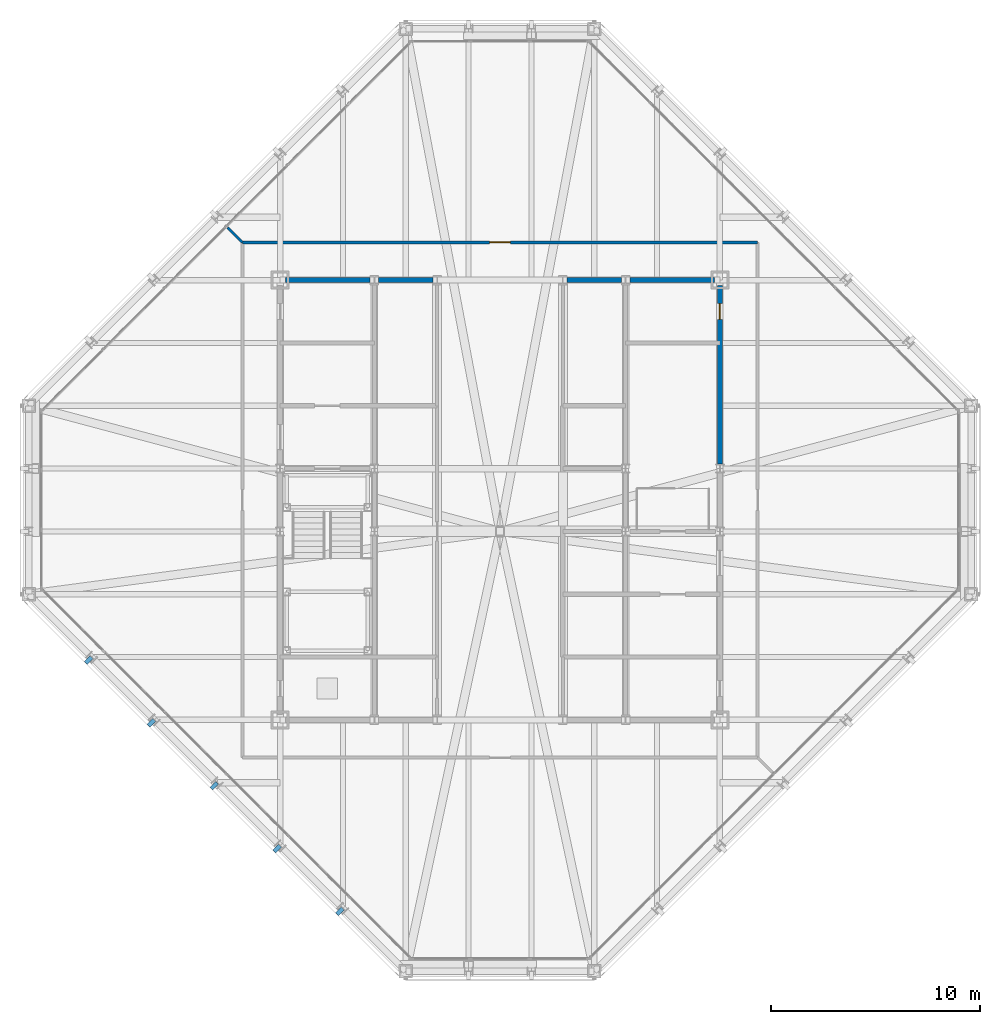
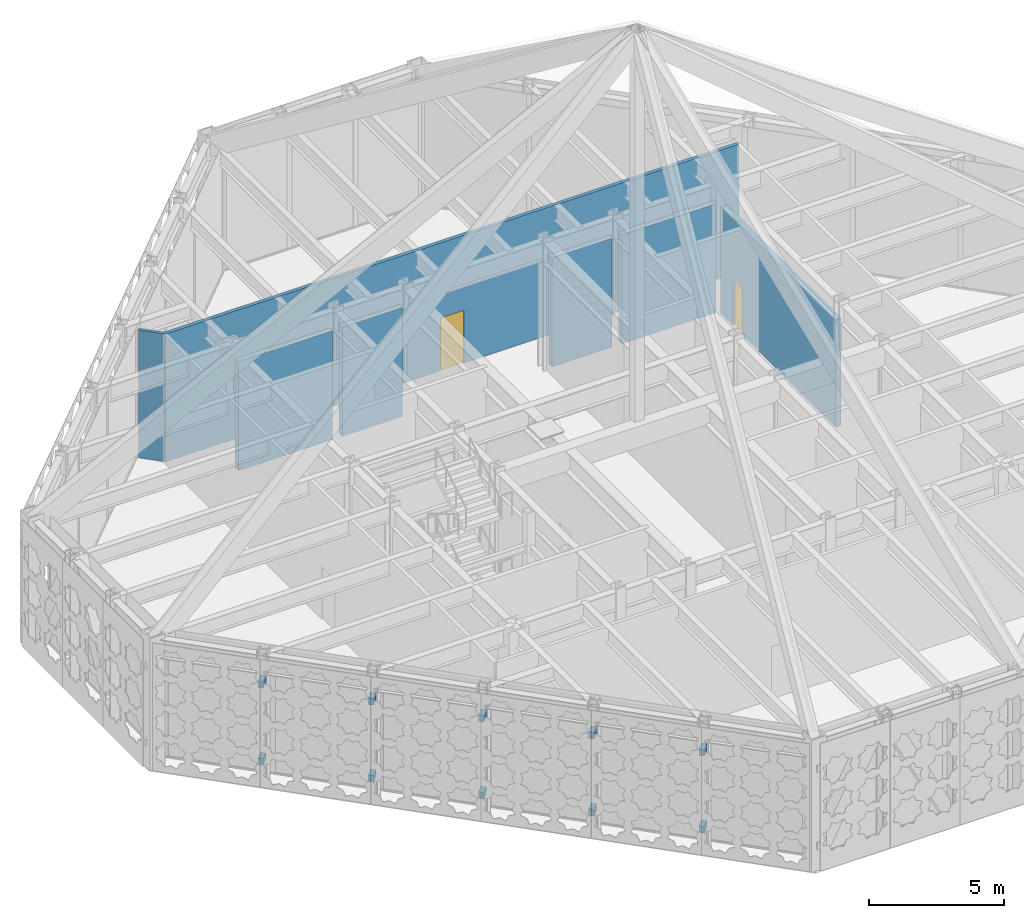
# One storey, part 15 of 30: 10 discrete accessories, 7 walls, 2 doors, 2 openings.
"""IFC4 building model written with IfcOpenShell, lengths in metres."""

import ifcopenshell
import ifcopenshell.guid

model = None  # the IFC model being written
_history = None  # IfcOwnerHistory: only IFC2X3 demands one
_inside = {}  # id of a spatial element -> (the spatial element, [elements in it])
_under = {}  # id of a project, library or spatial element -> (it, [spatial elements below it])
_declared = {}  # id of a project -> (the project, [libraries it declares])
_typed = {}  # id of a type object -> (the type object, [elements of that type])
_made_of = {}  # id of a material, layer set ... -> (it, [elements and type objects made of it])


def new_model(schema):
    """Start an empty IFC model of exactly this schema.

    Asked for "IFC4X3", IfcOpenShell would pick the latest addendum, in which some entities
    have other attributes; the version numbers below select the first issue.
    IFC2X3 requires an IfcOwnerHistory on every rooted entity: one is made here for all.
    """
    global model, _history
    if schema == "IFC4X3":
        model = ifcopenshell.file(schema_version=(4, 3, 0, 0))
    else:
        model = ifcopenshell.file(schema=schema)
    _inside.clear()
    _under.clear()
    _declared.clear()
    _typed.clear()
    _made_of.clear()
    _history = None
    if model.schema == "IFC2X3":
        org = make("IfcOrganization", Name="unknown")
        user = make(
            "IfcPersonAndOrganization",
            ThePerson=make("IfcPerson", FamilyName="unknown"),
            TheOrganization=org,
        )
        app = make(
            "IfcApplication",
            ApplicationDeveloper=org,
            Version="unknown",
            ApplicationFullName="unknown",
            ApplicationIdentifier="unknown",
        )
        _history = make(
            "IfcOwnerHistory",
            OwningUser=user,
            OwningApplication=app,
            ChangeAction="ADDED",
            CreationDate=0,
        )
    return model


def make(cls, **values):
    """One entity of the class cls with the attributes given. An attribute that is None is left unset."""
    return model.create_entity(
        cls, **{name: value for name, value in values.items() if value is not None}
    )


def rooted(cls, **values):
    """An entity with a GlobalId (a new one), such as an element, a storey or a relation."""
    return make(cls, GlobalId=ifcopenshell.guid.new(), OwnerHistory=_history, **values)


def si_unit(unit_type, name, prefix=None):
    """IfcSIUnit, for example si_unit("LENGTHUNIT", "METRE", prefix="MILLI")."""
    return make("IfcSIUnit", UnitType=unit_type, Prefix=prefix, Name=name)


def assignment(units):
    """IfcUnitAssignment: the units of a project."""
    return None if units is None else make("IfcUnitAssignment", Units=units)


def point(xyz):
    """IfcCartesianPoint."""
    return None if xyz is None else make("IfcCartesianPoint", Coordinates=xyz)


def direction(xyz):
    """IfcDirection."""
    return None if xyz is None else make("IfcDirection", DirectionRatios=xyz)


def frame(location, z_axis=None, x_axis=None):
    """IfcAxis2Placement3D, a coordinate frame: its origin and axes. An axis left out is left unset."""
    return make(
        "IfcAxis2Placement3D",
        Location=point(location),
        Axis=direction(z_axis),
        RefDirection=direction(x_axis),
    )


def frame_2d(location, x_axis=None):
    """IfcAxis2Placement2D, a coordinate frame in the plane: its origin and x axis."""
    return make(
        "IfcAxis2Placement2D", Location=point(location), RefDirection=direction(x_axis)
    )


def origin():
    """The frame at (0, 0, 0) with its axes left unset."""
    return frame((0.0, 0.0, 0.0))


def origin_2d():
    """The frame at (0, 0) in the plane with its x axis left unset."""
    return frame_2d((0.0, 0.0))


def place(relative_to, where):
    """IfcLocalPlacement: puts the frame where relative to a parent placement (None: the world)."""
    return make(
        "IfcLocalPlacement", PlacementRelTo=relative_to, RelativePlacement=where
    )


def context(
    kind, dimensions, precision=None, world=None, true_north=None, identifier=None
):
    """IfcGeometricRepresentationContext, for example the 3D "Model" context."""
    return make(
        "IfcGeometricRepresentationContext",
        ContextIdentifier=identifier,
        ContextType=kind,
        CoordinateSpaceDimension=dimensions,
        Precision=precision,
        WorldCoordinateSystem=world,
        TrueNorth=true_north,
    )


def subcontext(parent, identifier, kind, view, scale=None):
    """IfcGeometricRepresentationSubContext, for example "Body" below "Model"."""
    return make(
        "IfcGeometricRepresentationSubContext",
        ContextIdentifier=identifier,
        ContextType=kind,
        ParentContext=parent,
        TargetScale=scale,
        TargetView=view,
    )


def project(units=None, contexts=None):
    """IfcProject with its units and contexts."""
    return rooted(
        "IfcProject",
        Name="project",
        RepresentationContexts=contexts,
        UnitsInContext=assignment(units),
    )


def spatial(cls, under=None, at=None, **own):
    """A site, building, storey or space (cls), placed at a placement, below another one or the project."""
    s = rooted(cls, ObjectPlacement=at, **own)
    if under is not None:
        _under.setdefault(under.id(), (under, []))[1].append(s)
    return s


def profile(cls, at=None, kind="AREA", **sizes):
    """A parametric profile (cls). Its sizes go by their IFC names, for example OverallWidth=200.0."""
    return make(cls, ProfileType=kind, Position=at, **sizes)


def rectangle(**sizes):
    """IfcRectangleProfileDef."""
    return profile("IfcRectangleProfileDef", **sizes)


def extrude(swept, where, along, depth):
    """IfcExtrudedAreaSolid: the profile swept, set in the frame where, extruded along a direction by depth."""
    return make(
        "IfcExtrudedAreaSolid",
        SweptArea=swept,
        Position=where,
        ExtrudedDirection=direction(along),
        Depth=depth,
    )


def shape(context_of_items, identifier, shape_type, items):
    """IfcShapeRepresentation: the items that make up one representation, for example the "Body"."""
    return make(
        "IfcShapeRepresentation",
        ContextOfItems=context_of_items,
        RepresentationIdentifier=identifier,
        RepresentationType=shape_type,
        Items=items,
    )


def material(Name=None, Category=None):
    """IfcMaterial."""
    return make("IfcMaterial", Name=Name, Category=Category)


def layer(
    of_material, thickness, ventilated=None, Name=None, Category=None, Priority=None
):
    """IfcMaterialLayer: one layer of a wall or slab, of a material (None: an air gap)."""
    return make(
        "IfcMaterialLayer",
        Material=of_material,
        LayerThickness=thickness,
        IsVentilated=ventilated,
        Name=Name,
        Category=Category,
        Priority=Priority,
    )


def layer_set(layers, Name=None):
    """IfcMaterialLayerSet."""
    return make("IfcMaterialLayerSet", MaterialLayers=layers, LayerSetName=Name)


def made_of(thing, what):
    """Note that an element or type object is made of a material, layer set ...; save() writes the relation."""
    if what is not None:
        _made_of.setdefault(what.id(), (what, []))[1].append(thing)
    return thing


def type_object(cls, material=None, **own):
    """A type object (cls), such as IfcWallType, which elements share."""
    return made_of(rooted(cls, **own), material)


def element(
    cls,
    number,
    at=None,
    inside=None,
    cuts=None,
    type_object=None,
    material=None,
    context=None,
    identifier="Body",
    shape_type=None,
    held_by="IfcProductDefinitionShape",
    body=None,
    shapes=None,
    **own,
):
    """One element of the class cls, such as IfcWall. Its Tag is "e" and its number.

    at: its placement. inside: the storey or other place that contains it. cuts: it is an
    opening in that element (IfcRelVoidsElement). A single representation is given by context,
    identifier, shape_type and body (its items); several are given by shapes. held_by: the class
    of the entity that holds the representations. save() writes the other relations.
    """
    e = rooted(cls, Tag="e%d" % number, ObjectPlacement=at, **own)
    if body is not None:
        shapes = [shape(context, identifier, shape_type, body)]
    if shapes is not None:
        e.Representation = make(held_by, Representations=shapes)
    if inside is not None:
        _inside.setdefault(inside.id(), (inside, []))[1].append(e)
    if cuts is not None:
        rooted(
            "IfcRelVoidsElement", RelatingBuildingElement=cuts, RelatedOpeningElement=e
        )
    if type_object is not None:
        _typed.setdefault(type_object.id(), (type_object, []))[1].append(e)
    return made_of(e, material)


def fill(opening, filler):
    """IfcRelFillsElement: the door or window that sits in an opening."""
    return rooted(
        "IfcRelFillsElement",
        RelatingOpeningElement=opening,
        RelatedBuildingElement=filler,
    )


def aggregate(whole, parts):
    """IfcRelAggregates: a whole, such as a stair, and the parts it consists of."""
    return rooted("IfcRelAggregates", RelatingObject=whole, RelatedObjects=parts)


def save(model, path):
    """Write the relations noted so far, then the file.

    IfcRelAggregates (storeys below a building ...), IfcRelContainedInSpatialStructure (elements
    in a storey), IfcRelDefinesByType, IfcRelAssociatesMaterial and IfcRelDeclares: one each for
    every whole, place, type object, material and project.
    """
    for whole, parts in _under.values():
        aggregate(whole, parts)
    for where, things in _inside.values():
        rooted(
            "IfcRelContainedInSpatialStructure",
            RelatedElements=things,
            RelatingStructure=where,
        )
    for kind, things in _typed.values():
        rooted("IfcRelDefinesByType", RelatedObjects=things, RelatingType=kind)
    for what, things in _made_of.values():
        rooted("IfcRelAssociatesMaterial", RelatedObjects=things, RelatingMaterial=what)
    for by, libraries in _declared.values():
        rooted("IfcRelDeclares", RelatingContext=by, RelatedDefinitions=libraries)
    model.write(path)


model = new_model("IFC4")

# Units and contexts
model_context = context("Model", 3, precision=1e-05, world=origin(), true_north=direction((0.0, 1.0)))
body_context = subcontext(model_context, "Body", "Model", "MODEL_VIEW")
ifc_project = project(units=[si_unit("LENGTHUNIT", "METRE"), si_unit("AREAUNIT", "SQUARE_METRE"), si_unit("VOLUMEUNIT", "CUBIC_METRE"), si_unit("PLANEANGLEUNIT", "RADIAN"), si_unit("MASSUNIT", "GRAM", prefix="KILO")], contexts=[model_context])

# Site, building, storey
site_placement = place(None, origin())
site = spatial("IfcSite", under=ifc_project, at=site_placement, CompositionType="ELEMENT")
building_placement = place(site_placement, origin())
building = spatial("IfcBuilding", under=site, at=building_placement, Name="Chuquiago Exchange Tower", CompositionType="ELEMENT")
storey_placement = place(building_placement, frame((0.0, 0.0, 306.0)))
storey = spatial("IfcBuildingStorey", under=building, at=storey_placement, Name="L68", CompositionType="ELEMENT", Elevation=306.0)

# Walls
ifc_material_1 = material(Name="Concrete masonry, fully grouted", Category="masonry")
ifc_layer_1 = layer(ifc_material_1, 0.25)
ifc_layer_set_1 = layer_set([ifc_layer_1], Name="W1 core wall 250")
wall_type_1 = type_object("IfcWallType", Name="W1 core wall 250", PredefinedType="SOLIDWALL", material=ifc_layer_set_1)
wall_1_placement = place(storey_placement, frame((12.25, 33.0, 0.0), z_axis=(0.0, 0.0, 1.0), x_axis=(1.0, 0.0, 0.0)))
element("IfcWall", 1, at=wall_1_placement, inside=storey, type_object=wall_type_1, Name="CW-L68-11-0", PredefinedType="SOLIDWALL", context=body_context, shape_type="SweptSolid", body=[
    extrude(rectangle(XDim=4.041748046875, YDim=0.25, at=frame_2d((2.02099609375, 0.0))), origin(), (0.0, 0.0, 1.0), 4.94140625),
])
for number, where, z_axis, x_axis, name in (
    (2, (16.708251953125, 33.0, 0.0), (0.0, 0.0, 1.0), (1.0, 0.0, 0.0), "CW-L68-11-1"),
    (3, (25.708251953125, 33.0, 0.0), (0.0, 0.0, 1.0), (1.0, 0.0, 0.0), "CW-L68-12-0"),
):
    element("IfcWall", number, at=place(storey_placement, frame(where, z_axis=z_axis, x_axis=x_axis)), inside=storey, type_object=wall_type_1, Name=name, PredefinedType="SOLIDWALL", context=body_context, shape_type="SweptSolid", body=[
        extrude(rectangle(XDim=2.58349609375, YDim=0.25, at=frame_2d((1.291748046875, 0.0))), origin(), (0.0, 0.0, 1.0), 4.94140625),
    ])
wall_2_placement = place(storey_placement, frame((28.708251953125, 33.0, 0.0), z_axis=(0.0, 0.0, 1.0), x_axis=(1.0, 0.0, 0.0)))
element("IfcWall", 4, at=wall_2_placement, inside=storey, type_object=wall_type_1, Name="CW-L68-12-1", PredefinedType="SOLIDWALL", context=body_context, shape_type="SweptSolid", body=[
    extrude(rectangle(XDim=4.041748046875, YDim=0.25, at=frame_2d((2.02099609375, 0.0))), origin(), (0.0, 0.0, 1.0), 4.94140625),
])

# Wall, opening, door
wall_3_placement = place(storey_placement, frame((33.0, 24.222412109375, 0.0), z_axis=(0.0, 0.0, 1.0), x_axis=(0.0, 1.0, 0.0)))
wall_3 = element("IfcWall", 5, at=wall_3_placement, inside=storey, type_object=wall_type_1, Name="CW-L68-25-2", PredefinedType="SOLIDWALL", context=body_context, shape_type="SweptSolid", body=[
    extrude(rectangle(XDim=8.527587890625, YDim=0.25, at=frame_2d((4.263671875, 0.0))), origin(), (0.0, 0.0, 1.0), 4.872802734375),
])
opening_1_placement = place(wall_3_placement, frame((6.902587890625, 0.0, 0.0)))
opening_1 = element("IfcOpeningElement", 6, at=opening_1_placement, cuts=wall_3, Name="Opening L68-010", PredefinedType="OPENING", context=body_context, shape_type="SweptSolid", body=[
    extrude(rectangle(XDim=0.75, YDim=2.10009765625, at=frame_2d((0.375, 1.050048828125))), frame((0.0, 0.135009765625, 0.0), z_axis=(0.0, -1.0, 0.0), x_axis=(1.0, 0.0, 0.0)), (0.0, 0.0, 1.0), 0.27001953125),
])
ifc_material_2 = material(Name="Steel door, painted", Category="steel")
door_type_1 = type_object("IfcDoorType", Name="D6 riser access door 750x2100", OperationType="SINGLE_SWING_LEFT", PredefinedType="DOOR", material=ifc_material_2)
door_1_placement = place(opening_1_placement, origin())
door_1 = element("IfcDoor", 7, at=door_1_placement, inside=storey, type_object=door_type_1, Name="Riser RE2 door", OperationType="SINGLE_SWING_RIGHT", OverallHeight=2.10009765625, OverallWidth=0.75, PredefinedType="DOOR", context=body_context, shape_type="SweptSolid", body=[
    extrude(rectangle(XDim=0.75, YDim=2.10009765625, at=frame_2d((0.375, 1.050048828125))), frame((0.0, 0.02490234375, 0.0), z_axis=(0.0, -1.0, 0.0), x_axis=(1.0, 0.0, 0.0)), (0.0, 0.0, 1.0), 0.050048828125),
])
fill(opening_1, door_1)

ifc_material_3 = material(Name="Gypsum board on steel studs, acoustic insulation", Category="steel")
ifc_layer_2 = layer(ifc_material_3, 0.14990234375)
ifc_layer_set_2 = layer_set([ifc_layer_2], Name="W11 corridor wall 150")
wall_type_2 = type_object("IfcWallType", Name="W11 corridor wall 150", PredefinedType="PARTITIONING", material=ifc_layer_set_2)
wall_4_placement = place(storey_placement, frame((10.199951171875, 34.800048828125, 0.0), z_axis=(0.0, 0.0, 1.0), x_axis=(1.0, 0.0, 0.0)))
wall_4 = element("IfcWall", 8, at=wall_4_placement, inside=storey, type_object=wall_type_2, Name="PW-L68-PCN", PredefinedType="PARTITIONING", context=body_context, shape_type="SweptSolid", body=[
    extrude(rectangle(XDim=24.60009765625, YDim=0.14990234375, at=frame_2d((12.300048828125, 0.0))), origin(), (0.0, 0.0, 1.0), 5.800048828125),
])
opening_2_placement = place(wall_4_placement, frame((11.800048828125, 0.0, 0.0)))
opening_2 = element("IfcOpeningElement", 9, at=opening_2_placement, cuts=wall_4, Name="Opening L68-014", PredefinedType="OPENING", context=body_context, shape_type="SweptSolid", body=[
    extrude(rectangle(XDim=1.0, YDim=2.39990234375, at=frame_2d((0.5, 1.199951171875))), frame((0.0, 0.0849609375, 0.0), z_axis=(0.0, -1.0, 0.0), x_axis=(1.0, 0.0, 0.0)), (0.0, 0.0, 1.0), 0.169921875),
])
ifc_material_4 = material(Name="Timber door, laminate faced", Category="wood")
door_type_2 = type_object("IfcDoorType", Name="D9 room door 1000x2400", OperationType="SINGLE_SWING_LEFT", PredefinedType="DOOR", material=ifc_material_4)
door_2_placement = place(opening_2_placement, origin())
door_2 = element("IfcDoor", 10, at=door_2_placement, inside=storey, type_object=door_type_2, Name="Plant corridor north door", OperationType="SINGLE_SWING_RIGHT", OverallHeight=2.39990234375, OverallWidth=1.0, PredefinedType="DOOR", context=body_context, shape_type="SweptSolid", body=[
    extrude(rectangle(XDim=1.0, YDim=2.39990234375, at=frame_2d((0.5, 1.199951171875))), frame((0.0, 0.02490234375, 0.0), z_axis=(0.0, -1.0, 0.0), x_axis=(1.0, 0.0, 0.0)), (0.0, 0.0, 1.0), 0.050048828125),
])
fill(opening_2, door_2)

# Wall
ifc_material_5 = material(Name="Gypsum board on steel studs", Category="steel")
ifc_layer_3 = layer(ifc_material_5, 0.1201171875)
ifc_layer_set_3 = layer_set([ifc_layer_3], Name="W4 partition 120")
wall_type_3 = type_object("IfcWallType", Name="W4 partition 120", PredefinedType="PARTITIONING", material=ifc_layer_set_3)
wall_5_placement = place(storey_placement, frame((10.199951171875, 34.800048828125, 0.0), z_axis=(0.0, 0.0, 1.0), x_axis=(-0.707106781187, 0.707106781187, 0.0)))
element("IfcWall", 11, at=wall_5_placement, inside=storey, type_object=wall_type_3, Name="PW-L68-PDNW0", PredefinedType="PARTITIONING", context=body_context, shape_type="SweptSolid", body=[
    extrude(rectangle(XDim=0.996826171875, YDim=0.1201171875, at=frame_2d((0.49853515625, 0.0))), origin(), (0.0, 0.0, 1.0), 5.800048828125),
])

# Discrete accessories
ifc_material_6 = material(Name="Stainless steel plate bracket", Category="steel")
discrete_accessory_type = type_object("IfcDiscreteAccessoryType", Name="GB2 cladding bracket 386", PredefinedType="BRACKET", material=ifc_material_6)
for number, where, z_axis, x_axis, name in (
    (12, (2.853759765625, 14.853759765625, 1.0048828125), (0.0, 0.0, 1.0), (0.707106781187, -0.707106781187, 0.0), "Cladding bracket L68 SW"),
    (13, (2.853759765625, 14.853759765625, 4.5), (0.0, 0.0, 1.0), (0.707106781187, -0.707106781187, 0.0), "Cladding bracket L68 SW"),
    (14, (5.853759765625, 11.853759765625, 1.0048828125), (0.0, 0.0, 1.0), (0.707106781187, -0.707106781187, 0.0), "Cladding bracket L68 SW"),
    (15, (5.853759765625, 11.853759765625, 4.5), (0.0, 0.0, 1.0), (0.707106781187, -0.707106781187, 0.0), "Cladding bracket L68 SW"),
    (16, (8.853759765625, 8.853759765625, 1.0048828125), (0.0, 0.0, 1.0), (0.707106781187, -0.707106781187, 0.0), "Cladding bracket L68 SW"),
    (17, (8.853759765625, 8.853759765625, 4.5), (0.0, 0.0, 1.0), (0.707106781187, -0.707106781187, 0.0), "Cladding bracket L68 SW"),
    (18, (11.853759765625, 5.853759765625, 1.0048828125), (0.0, 0.0, 1.0), (0.707106781187, -0.707106781187, 0.0), "Cladding bracket L68 SW"),
    (19, (11.853759765625, 5.853759765625, 4.5), (0.0, 0.0, 1.0), (0.707106781187, -0.707106781187, 0.0), "Cladding bracket L68 SW"),
    (20, (14.853759765625, 2.853759765625, 1.0048828125), (0.0, 0.0, 1.0), (0.707106781187, -0.707106781187, 0.0), "Cladding bracket L68 SW"),
    (21, (14.853759765625, 2.853759765625, 4.5), (0.0, 0.0, 1.0), (0.707106781187, -0.707106781187, 0.0), "Cladding bracket L68 SW"),
):
    element("IfcDiscreteAccessory", number, at=place(storey_placement, frame(where, z_axis=z_axis, x_axis=x_axis)), inside=storey, type_object=discrete_accessory_type, Name=name, PredefinedType="BRACKET", context=body_context, shape_type="SweptSolid", body=[
        extrude(rectangle(XDim=0.199951171875, YDim=0.386474609375, at=origin_2d()), origin(), (0.0, 0.0, 1.0), 0.300048828125),
    ])

save(model, "model.ifc")
